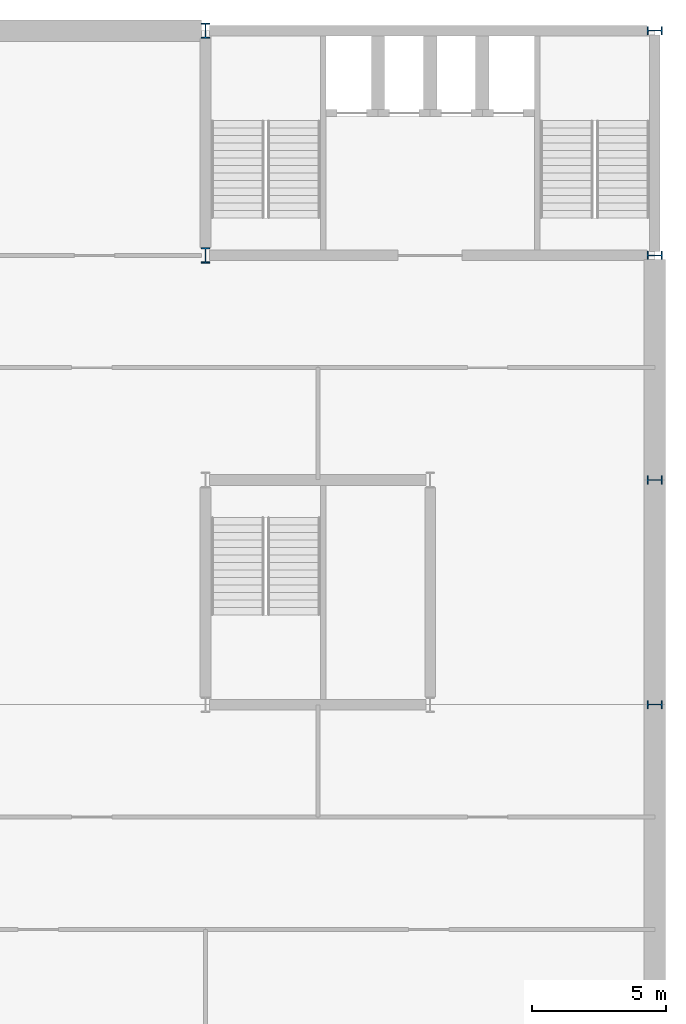
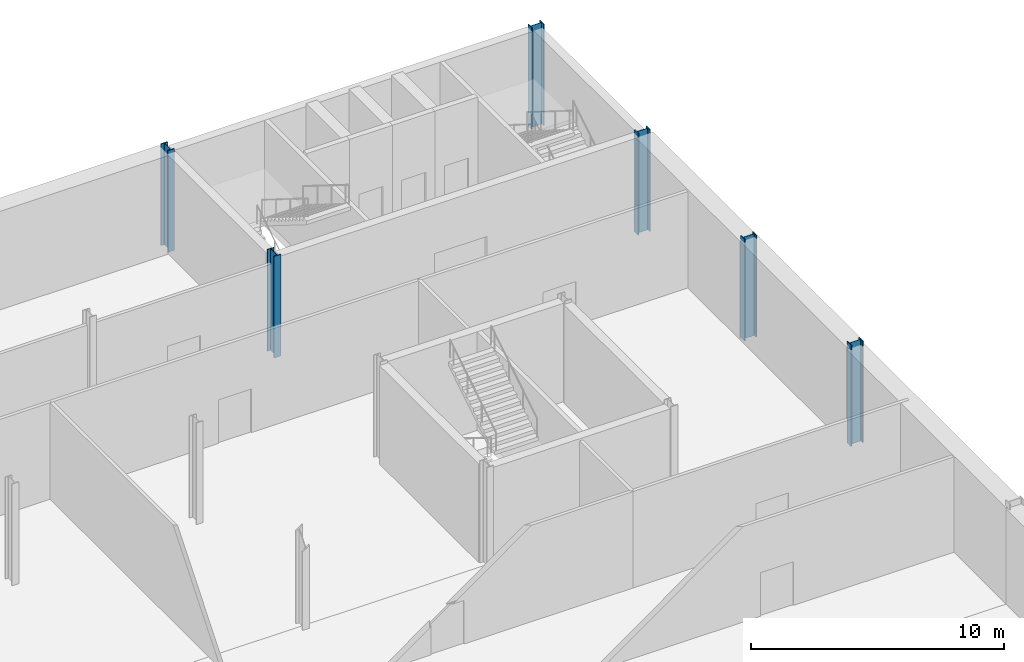
# One storey, part 8 of 20: 6 columns.
"""IFC4 building model written with IfcOpenShell, lengths in metres."""

from ifc_helpers import new_model, si_unit, direction, frame, origin, origin_2d, place, context, subcontext, project, spatial, i_section, extrude, material, material_profile, profile_set, type_object, element, save


model = new_model("IFC4")

# Units and contexts
model_context = context("Model", 3, precision=1e-05, world=origin(), true_north=direction((0.0, 1.0)))
body_context = subcontext(model_context, "Body", "Model", "MODEL_VIEW")
ifc_project = project(units=[si_unit("LENGTHUNIT", "METRE"), si_unit("AREAUNIT", "SQUARE_METRE"), si_unit("VOLUMEUNIT", "CUBIC_METRE"), si_unit("PLANEANGLEUNIT", "RADIAN"), si_unit("MASSUNIT", "GRAM", prefix="KILO")], contexts=[model_context])

# Site, building, storey
site_placement = place(None, origin())
site = spatial("IfcSite", under=ifc_project, at=site_placement, CompositionType="ELEMENT")
building_placement = place(site_placement, origin())
building = spatial("IfcBuilding", under=site, at=building_placement, Name="Galleria Vessillo Department Store", CompositionType="ELEMENT")
storey_placement = place(building_placement, frame((0.0, 0.0, -4.89990234375)))
storey = spatial("IfcBuildingStorey", under=building, at=storey_placement, Name="B1", CompositionType="ELEMENT", Elevation=-4.89990234375)

# Columns
ifc_material = material(Name="Steel S355 J2", Category="steel")
ifc_material_profile = material_profile(ifc_material, i_section(OverallWidth=0.305908203125, OverallDepth=0.572021484375, WebThickness=0.02099609375, FlangeThickness=0.0400390625, FilletRadius=0.027099609375, at=origin_2d()), Name="HEM 550")
ifc_profile_set = profile_set([ifc_material_profile], Name="Steel S355 J2")
column_type = type_object("IfcColumnType", Name="Steel column HEM 550 CT1", PredefinedType="COLUMN", material=ifc_profile_set)
for number, where, z_axis, x_axis, name in (
    (1, (100.800048828125, 54.60009765625, 0.0), (0.0, 0.0, 1.0), (1.0, 0.0, 0.0), "S-COL-B1-13-G"),
    (2, (100.800048828125, 63.0, 0.0), (0.0, 0.0, 1.0), (1.0, 0.0, 0.0), "S-COL-B1-13-H"),
    (3, (117.60009765625, 37.800048828125, 0.0), (0.0, 0.0, 1.0), (0.0, 1.0, 0.0), "S-COL-B1-15-E"),
    (4, (117.60009765625, 46.199951171875, 0.0), (0.0, 0.0, 1.0), (0.0, 1.0, 0.0), "S-COL-B1-15-F"),
    (5, (117.60009765625, 54.60009765625, 0.0), (0.0, 0.0, 1.0), (0.0, 1.0, 0.0), "S-COL-B1-15-G"),
    (6, (117.60009765625, 63.0, 0.0), (0.0, 0.0, 1.0), (0.0, 1.0, 0.0), "S-COL-B1-15-H"),
):
    element("IfcColumn", number, at=place(storey_placement, frame(where, z_axis=z_axis, x_axis=x_axis)), inside=storey, type_object=column_type, Name=name, PredefinedType="COLUMN", context=body_context, shape_type="SweptSolid", body=[
        extrude(i_section(OverallWidth=0.305908203125, OverallDepth=0.572021484375, WebThickness=0.02099609375, FlangeThickness=0.0400390625, FilletRadius=0.027099609375, at=origin_2d()), origin(), (0.0, 0.0, 1.0), 4.89990234375),
    ])

save(model, "model.ifc")
